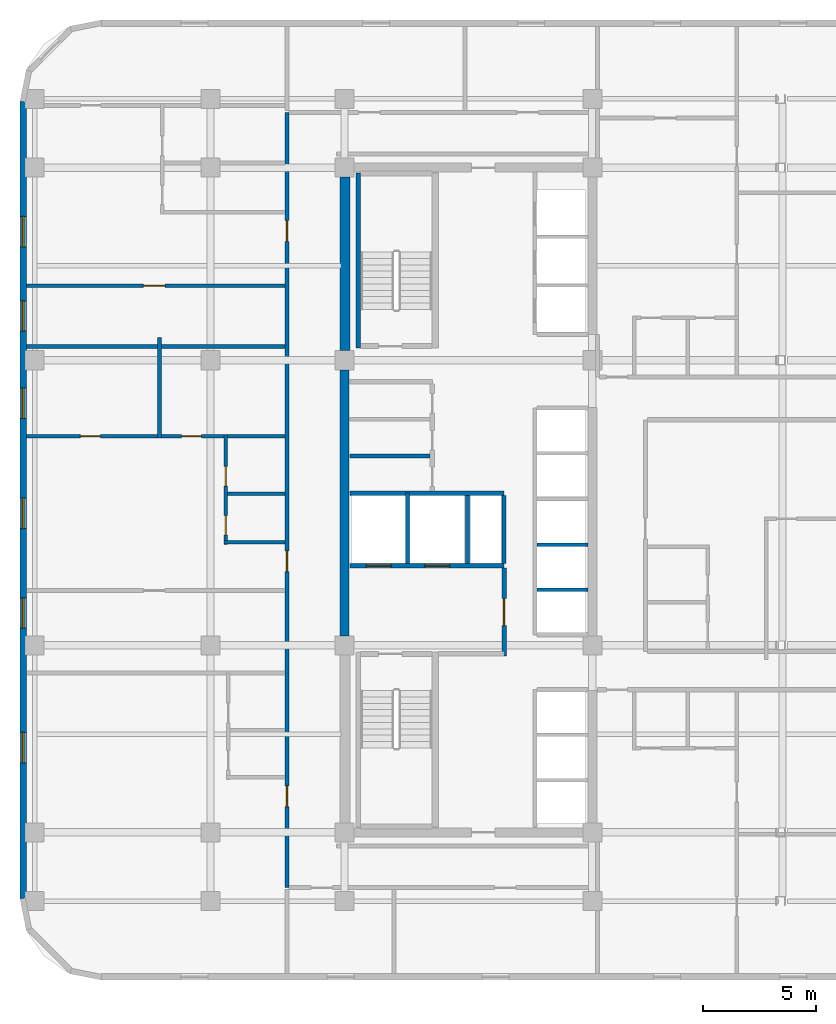
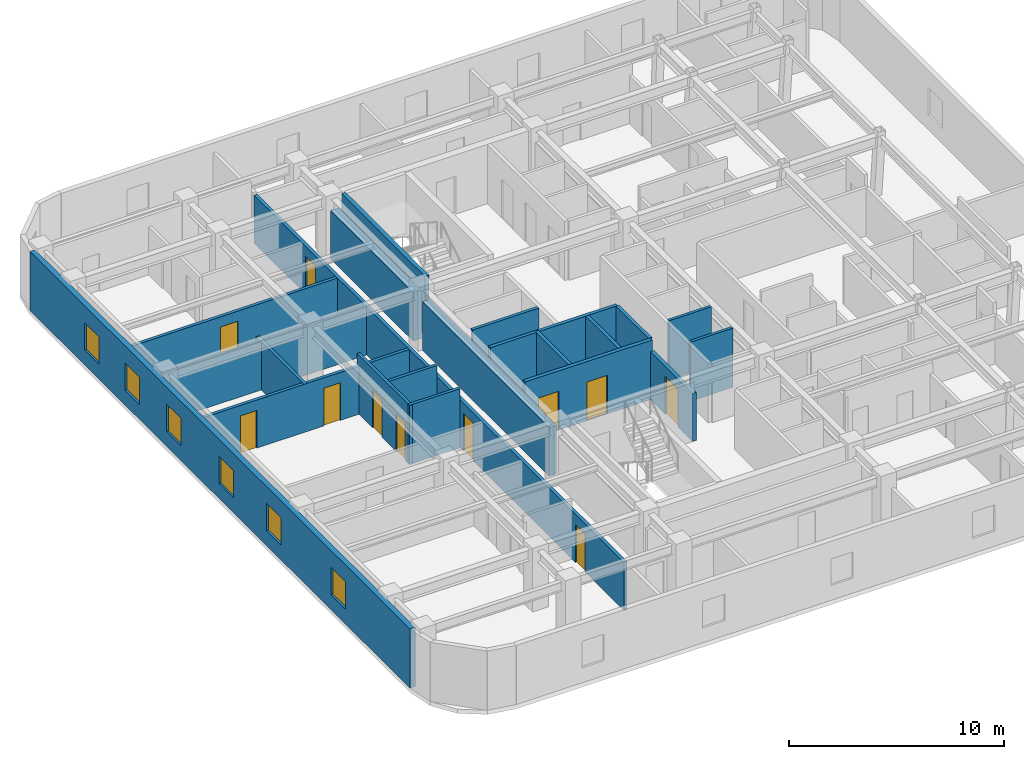
# One storey, part 4 of 8: 21 walls, 11 doors, 6 windows, 17 openings.
"""IFC4 building model written with IfcOpenShell, lengths in metres."""

import ifcopenshell
import ifcopenshell.guid

model = None  # the IFC model being written
_history = None  # IfcOwnerHistory: only IFC2X3 demands one
_inside = {}  # id of a spatial element -> (the spatial element, [elements in it])
_under = {}  # id of a project, library or spatial element -> (it, [spatial elements below it])
_declared = {}  # id of a project -> (the project, [libraries it declares])
_typed = {}  # id of a type object -> (the type object, [elements of that type])
_made_of = {}  # id of a material, layer set ... -> (it, [elements and type objects made of it])


def new_model(schema):
    """Start an empty IFC model of exactly this schema.

    Asked for "IFC4X3", IfcOpenShell would pick the latest addendum, in which some entities
    have other attributes; the version numbers below select the first issue.
    IFC2X3 requires an IfcOwnerHistory on every rooted entity: one is made here for all.
    """
    global model, _history
    if schema == "IFC4X3":
        model = ifcopenshell.file(schema_version=(4, 3, 0, 0))
    else:
        model = ifcopenshell.file(schema=schema)
    _inside.clear()
    _under.clear()
    _declared.clear()
    _typed.clear()
    _made_of.clear()
    _history = None
    if model.schema == "IFC2X3":
        org = make("IfcOrganization", Name="unknown")
        user = make(
            "IfcPersonAndOrganization",
            ThePerson=make("IfcPerson", FamilyName="unknown"),
            TheOrganization=org,
        )
        app = make(
            "IfcApplication",
            ApplicationDeveloper=org,
            Version="unknown",
            ApplicationFullName="unknown",
            ApplicationIdentifier="unknown",
        )
        _history = make(
            "IfcOwnerHistory",
            OwningUser=user,
            OwningApplication=app,
            ChangeAction="ADDED",
            CreationDate=0,
        )
    return model


def make(cls, **values):
    """One entity of the class cls with the attributes given. An attribute that is None is left unset."""
    return model.create_entity(
        cls, **{name: value for name, value in values.items() if value is not None}
    )


def rooted(cls, **values):
    """An entity with a GlobalId (a new one), such as an element, a storey or a relation."""
    return make(cls, GlobalId=ifcopenshell.guid.new(), OwnerHistory=_history, **values)


def si_unit(unit_type, name, prefix=None):
    """IfcSIUnit, for example si_unit("LENGTHUNIT", "METRE", prefix="MILLI")."""
    return make("IfcSIUnit", UnitType=unit_type, Prefix=prefix, Name=name)


def assignment(units):
    """IfcUnitAssignment: the units of a project."""
    return None if units is None else make("IfcUnitAssignment", Units=units)


def point(xyz):
    """IfcCartesianPoint."""
    return None if xyz is None else make("IfcCartesianPoint", Coordinates=xyz)


def direction(xyz):
    """IfcDirection."""
    return None if xyz is None else make("IfcDirection", DirectionRatios=xyz)


def frame(location, z_axis=None, x_axis=None):
    """IfcAxis2Placement3D, a coordinate frame: its origin and axes. An axis left out is left unset."""
    return make(
        "IfcAxis2Placement3D",
        Location=point(location),
        Axis=direction(z_axis),
        RefDirection=direction(x_axis),
    )


def frame_2d(location, x_axis=None):
    """IfcAxis2Placement2D, a coordinate frame in the plane: its origin and x axis."""
    return make(
        "IfcAxis2Placement2D", Location=point(location), RefDirection=direction(x_axis)
    )


def origin():
    """The frame at (0, 0, 0) with its axes left unset."""
    return frame((0.0, 0.0, 0.0))


def place(relative_to, where):
    """IfcLocalPlacement: puts the frame where relative to a parent placement (None: the world)."""
    return make(
        "IfcLocalPlacement", PlacementRelTo=relative_to, RelativePlacement=where
    )


def context(
    kind, dimensions, precision=None, world=None, true_north=None, identifier=None
):
    """IfcGeometricRepresentationContext, for example the 3D "Model" context."""
    return make(
        "IfcGeometricRepresentationContext",
        ContextIdentifier=identifier,
        ContextType=kind,
        CoordinateSpaceDimension=dimensions,
        Precision=precision,
        WorldCoordinateSystem=world,
        TrueNorth=true_north,
    )


def subcontext(parent, identifier, kind, view, scale=None):
    """IfcGeometricRepresentationSubContext, for example "Body" below "Model"."""
    return make(
        "IfcGeometricRepresentationSubContext",
        ContextIdentifier=identifier,
        ContextType=kind,
        ParentContext=parent,
        TargetScale=scale,
        TargetView=view,
    )


def project(units=None, contexts=None):
    """IfcProject with its units and contexts."""
    return rooted(
        "IfcProject",
        Name="project",
        RepresentationContexts=contexts,
        UnitsInContext=assignment(units),
    )


def spatial(cls, under=None, at=None, **own):
    """A site, building, storey or space (cls), placed at a placement, below another one or the project."""
    s = rooted(cls, ObjectPlacement=at, **own)
    if under is not None:
        _under.setdefault(under.id(), (under, []))[1].append(s)
    return s


def profile(cls, at=None, kind="AREA", **sizes):
    """A parametric profile (cls). Its sizes go by their IFC names, for example OverallWidth=200.0."""
    return make(cls, ProfileType=kind, Position=at, **sizes)


def rectangle(**sizes):
    """IfcRectangleProfileDef."""
    return profile("IfcRectangleProfileDef", **sizes)


def extrude(swept, where, along, depth):
    """IfcExtrudedAreaSolid: the profile swept, set in the frame where, extruded along a direction by depth."""
    return make(
        "IfcExtrudedAreaSolid",
        SweptArea=swept,
        Position=where,
        ExtrudedDirection=direction(along),
        Depth=depth,
    )


def shape(context_of_items, identifier, shape_type, items):
    """IfcShapeRepresentation: the items that make up one representation, for example the "Body"."""
    return make(
        "IfcShapeRepresentation",
        ContextOfItems=context_of_items,
        RepresentationIdentifier=identifier,
        RepresentationType=shape_type,
        Items=items,
    )


def material(Name=None, Category=None):
    """IfcMaterial."""
    return make("IfcMaterial", Name=Name, Category=Category)


def layer(
    of_material, thickness, ventilated=None, Name=None, Category=None, Priority=None
):
    """IfcMaterialLayer: one layer of a wall or slab, of a material (None: an air gap)."""
    return make(
        "IfcMaterialLayer",
        Material=of_material,
        LayerThickness=thickness,
        IsVentilated=ventilated,
        Name=Name,
        Category=Category,
        Priority=Priority,
    )


def layer_set(layers, Name=None):
    """IfcMaterialLayerSet."""
    return make("IfcMaterialLayerSet", MaterialLayers=layers, LayerSetName=Name)


def made_of(thing, what):
    """Note that an element or type object is made of a material, layer set ...; save() writes the relation."""
    if what is not None:
        _made_of.setdefault(what.id(), (what, []))[1].append(thing)
    return thing


def type_object(cls, material=None, **own):
    """A type object (cls), such as IfcWallType, which elements share."""
    return made_of(rooted(cls, **own), material)


def element(
    cls,
    number,
    at=None,
    inside=None,
    cuts=None,
    type_object=None,
    material=None,
    context=None,
    identifier="Body",
    shape_type=None,
    held_by="IfcProductDefinitionShape",
    body=None,
    shapes=None,
    **own,
):
    """One element of the class cls, such as IfcWall. Its Tag is "e" and its number.

    at: its placement. inside: the storey or other place that contains it. cuts: it is an
    opening in that element (IfcRelVoidsElement). A single representation is given by context,
    identifier, shape_type and body (its items); several are given by shapes. held_by: the class
    of the entity that holds the representations. save() writes the other relations.
    """
    e = rooted(cls, Tag="e%d" % number, ObjectPlacement=at, **own)
    if body is not None:
        shapes = [shape(context, identifier, shape_type, body)]
    if shapes is not None:
        e.Representation = make(held_by, Representations=shapes)
    if inside is not None:
        _inside.setdefault(inside.id(), (inside, []))[1].append(e)
    if cuts is not None:
        rooted(
            "IfcRelVoidsElement", RelatingBuildingElement=cuts, RelatedOpeningElement=e
        )
    if type_object is not None:
        _typed.setdefault(type_object.id(), (type_object, []))[1].append(e)
    return made_of(e, material)


def fill(opening, filler):
    """IfcRelFillsElement: the door or window that sits in an opening."""
    return rooted(
        "IfcRelFillsElement",
        RelatingOpeningElement=opening,
        RelatedBuildingElement=filler,
    )


def aggregate(whole, parts):
    """IfcRelAggregates: a whole, such as a stair, and the parts it consists of."""
    return rooted("IfcRelAggregates", RelatingObject=whole, RelatedObjects=parts)


def save(model, path):
    """Write the relations noted so far, then the file.

    IfcRelAggregates (storeys below a building ...), IfcRelContainedInSpatialStructure (elements
    in a storey), IfcRelDefinesByType, IfcRelAssociatesMaterial and IfcRelDeclares: one each for
    every whole, place, type object, material and project.
    """
    for whole, parts in _under.values():
        aggregate(whole, parts)
    for where, things in _inside.values():
        rooted(
            "IfcRelContainedInSpatialStructure",
            RelatedElements=things,
            RelatingStructure=where,
        )
    for kind, things in _typed.values():
        rooted("IfcRelDefinesByType", RelatedObjects=things, RelatingType=kind)
    for what, things in _made_of.values():
        rooted("IfcRelAssociatesMaterial", RelatedObjects=things, RelatingMaterial=what)
    for by, libraries in _declared.values():
        rooted("IfcRelDeclares", RelatingContext=by, RelatedDefinitions=libraries)
    model.write(path)


model = new_model("IFC4")

# Units and contexts
model_context = context("Model", 3, precision=1e-05, world=origin(), true_north=direction((0.0, 1.0)))
body_context = subcontext(model_context, "Body", "Model", "MODEL_VIEW")
ifc_project = project(units=[si_unit("LENGTHUNIT", "METRE"), si_unit("AREAUNIT", "SQUARE_METRE"), si_unit("VOLUMEUNIT", "CUBIC_METRE"), si_unit("PLANEANGLEUNIT", "RADIAN"), si_unit("MASSUNIT", "GRAM", prefix="KILO")], contexts=[model_context])

# Site, building, storey
site_placement = place(None, origin())
site = spatial("IfcSite", under=ifc_project, at=site_placement, CompositionType="ELEMENT")
building_placement = place(site_placement, origin())
building = spatial("IfcBuilding", under=site, at=building_placement, Name="Ochreholt Gables", CompositionType="ELEMENT")
storey_placement = place(building_placement, frame((0.0, 0.0, 102.60009765625)))
storey = spatial("IfcBuildingStorey", under=building, at=storey_placement, Name="L26", CompositionType="ELEMENT", Elevation=102.60009765625)

# Walls
ifc_material_1 = material(Name="Concrete 60 MPa", Category="concrete")
ifc_layer_1 = layer(ifc_material_1, 0.39990234375, Name="Concrete 60 MPa")
ifc_layer_set_1 = layer_set([ifc_layer_1], Name="Concrete 60 MPa")
wall_type_1 = type_object("IfcWallType", Name="WALL-CSW-400", PredefinedType="SHEAR", material=ifc_layer_set_1)
wall_1_placement = place(storey_placement, frame((24.199951171875, 17.97509765625, 0.0), z_axis=(0.0, 0.0, 1.0), x_axis=(0.0, 1.0, 0.0)))
element("IfcWall", 1, at=wall_1_placement, inside=storey, type_object=wall_type_1, Name="L26 Core West Shear Wall WM", PredefinedType="SHEAR", context=body_context, shape_type="SweptSolid", body=[
    extrude(rectangle(XDim=11.7998046875, YDim=0.39990234375, at=frame_2d((5.89990234375, 0.0))), origin(), (0.0, 0.0, 1.0), 2.7490234375),
])
ifc_layer_2 = layer(ifc_material_1, 0.449951171875, Name="Concrete 60 MPa")
ifc_layer_set_2 = layer_set([ifc_layer_2], Name="Concrete 60 MPa")
wall_type_2 = type_object("IfcWallType", Name="WALL-CSW-450", PredefinedType="SHEAR", material=ifc_layer_set_2)
wall_2_placement = place(storey_placement, frame((24.22509765625, 30.625, 0.0), z_axis=(0.0, 0.0, 1.0), x_axis=(0.0, 1.0, 0.0)))
element("IfcWall", 2, at=wall_2_placement, inside=storey, type_object=wall_type_2, Name="L26 Core West Shear Wall WN", PredefinedType="SHEAR", context=body_context, shape_type="SweptSolid", body=[
    extrude(rectangle(XDim=7.699951171875, YDim=0.449951171875, at=frame_2d((3.85009765625, 0.0))), origin(), (0.0, 0.0, 1.0), 2.7490234375),
])

# Wall, openings, windows
ifc_material_2 = material(Name="Precast concrete 40 MPa", Category="concrete")
ifc_layer_3 = layer(ifc_material_2, 0.280029296875, Name="Precast concrete 40 MPa")
ifc_layer_set_3 = layer_set([ifc_layer_3], Name="Precast concrete 40 MPa")
wall_type_3 = type_object("IfcWallType", Name="WALL-EXT-280", PredefinedType="SOLIDWALL", material=ifc_layer_set_3)
wall_3_placement = place(storey_placement, frame((9.93994140625, 41.679931640625, 0.0), z_axis=(0.0, 0.0, 1.0), x_axis=(0.0, -1.0, 0.0)))
wall_3 = element("IfcWall", 3, at=wall_3_placement, inside=storey, type_object=wall_type_3, Name="L26 West Exterior Wall", PredefinedType="SOLIDWALL", context=body_context, shape_type="SweptSolid", body=[
    extrude(rectangle(XDim=35.35986328125, YDim=0.280029296875, at=frame_2d((17.679931640625, 0.0))), origin(), (0.0, 0.0, 1.0), 3.35986328125),
])
opening_1_placement = place(wall_3_placement, frame((27.993896484375, 0.0, 0.85009765625)))
opening_1 = element("IfcOpeningElement", 4, at=opening_1_placement, cuts=wall_3, Name="Opening WN-8", PredefinedType="OPENING", context=body_context, shape_type="SweptSolid", body=[
    extrude(rectangle(XDim=1.35009765625, YDim=1.550048828125, at=frame_2d((0.675048828125, 0.77490234375))), frame((0.0, 0.14990234375, 0.0), z_axis=(0.0, -1.0, 0.0), x_axis=(1.0, 0.0, 0.0)), (0.0, 0.0, 1.0), 0.300048828125),
])
opening_2_placement = place(wall_3_placement, frame((22.017822265625, 0.0, 0.85009765625)))
opening_2 = element("IfcOpeningElement", 5, at=opening_2_placement, cuts=wall_3, Name="Opening WN-8", PredefinedType="OPENING", context=body_context, shape_type="SweptSolid", body=[
    extrude(rectangle(XDim=1.35009765625, YDim=1.550048828125, at=frame_2d((0.675048828125, 0.77490234375))), frame((0.0, 0.14990234375, 0.0), z_axis=(0.0, -1.0, 0.0), x_axis=(1.0, 0.0, 0.0)), (0.0, 0.0, 1.0), 0.300048828125),
])
opening_3_placement = place(wall_3_placement, frame((17.599853515625, 0.0, 0.85009765625)))
opening_3 = element("IfcOpeningElement", 6, at=opening_3_placement, cuts=wall_3, Name="Opening WN-8", PredefinedType="OPENING", context=body_context, shape_type="SweptSolid", body=[
    extrude(rectangle(XDim=1.35009765625, YDim=1.550048828125, at=frame_2d((0.675048828125, 0.77490234375))), frame((0.0, 0.14990234375, 0.0), z_axis=(0.0, -1.0, 0.0), x_axis=(1.0, 0.0, 0.0)), (0.0, 0.0, 1.0), 0.300048828125),
])
opening_4_placement = place(wall_3_placement, frame((12.7119140625, 0.0, 0.85009765625)))
opening_4 = element("IfcOpeningElement", 7, at=opening_4_placement, cuts=wall_3, Name="Opening WN-8", PredefinedType="OPENING", context=body_context, shape_type="SweptSolid", body=[
    extrude(rectangle(XDim=1.35009765625, YDim=1.550048828125, at=frame_2d((0.675048828125, 0.77490234375))), frame((0.0, 0.14990234375, 0.0), z_axis=(0.0, -1.0, 0.0), x_axis=(1.0, 0.0, 0.0)), (0.0, 0.0, 1.0), 0.300048828125),
])
opening_5_placement = place(wall_3_placement, frame((8.8408203125, 0.0, 0.85009765625)))
opening_5 = element("IfcOpeningElement", 8, at=opening_5_placement, cuts=wall_3, Name="Opening WN-8", PredefinedType="OPENING", context=body_context, shape_type="SweptSolid", body=[
    extrude(rectangle(XDim=1.35009765625, YDim=1.550048828125, at=frame_2d((0.675048828125, 0.77490234375))), frame((0.0, 0.14990234375, 0.0), z_axis=(0.0, -1.0, 0.0), x_axis=(1.0, 0.0, 0.0)), (0.0, 0.0, 1.0), 0.300048828125),
])
opening_6_placement = place(wall_3_placement, frame((5.09375, 0.0, 0.85009765625)))
opening_6 = element("IfcOpeningElement", 9, at=opening_6_placement, cuts=wall_3, Name="Opening WN-8", PredefinedType="OPENING", context=body_context, shape_type="SweptSolid", body=[
    extrude(rectangle(XDim=1.35009765625, YDim=1.550048828125, at=frame_2d((0.675048828125, 0.77490234375))), frame((0.0, 0.14990234375, 0.0), z_axis=(0.0, -1.0, 0.0), x_axis=(1.0, 0.0, 0.0)), (0.0, 0.0, 1.0), 0.300048828125),
])
ifc_material_3 = material(Name="Triple-Glazed Thermally Broken Aluminium Window", Category="aluminium")
window_type = type_object("IfcWindowType", Name="WIN-RES-1350", PartitioningType="SINGLE_PANEL", PredefinedType="WINDOW", material=ifc_material_3)
window_1_placement = place(opening_1_placement, origin())
window_1 = element("IfcWindow", 10, at=window_1_placement, inside=storey, type_object=window_type, Name="L26 Window W-EXT-W-L26-1", OverallHeight=1.550048828125, OverallWidth=1.35009765625, PartitioningType="SINGLE_PANEL", PredefinedType="WINDOW", context=body_context, shape_type="SweptSolid", body=[
    extrude(rectangle(XDim=1.35009765625, YDim=1.550048828125, at=frame_2d((0.675048828125, 0.77490234375))), frame((0.0, 0.030029296875, 0.0), z_axis=(0.0, -1.0, 0.0), x_axis=(1.0, 0.0, 0.0)), (0.0, 0.0, 1.0), 0.06005859375),
])
fill(opening_1, window_1)
window_2_placement = place(opening_2_placement, origin())
window_2 = element("IfcWindow", 11, at=window_2_placement, inside=storey, type_object=window_type, Name="L26 Window W-EXT-W-L26-2", OverallHeight=1.550048828125, OverallWidth=1.35009765625, PartitioningType="SINGLE_PANEL", PredefinedType="WINDOW", context=body_context, shape_type="SweptSolid", body=[
    extrude(rectangle(XDim=1.35009765625, YDim=1.550048828125, at=frame_2d((0.675048828125, 0.77490234375))), frame((0.0, 0.030029296875, 0.0), z_axis=(0.0, -1.0, 0.0), x_axis=(1.0, 0.0, 0.0)), (0.0, 0.0, 1.0), 0.06005859375),
])
fill(opening_2, window_2)
window_3_placement = place(opening_3_placement, origin())
window_3 = element("IfcWindow", 12, at=window_3_placement, inside=storey, type_object=window_type, Name="L26 Window W-EXT-W-L26-3", OverallHeight=1.550048828125, OverallWidth=1.35009765625, PartitioningType="SINGLE_PANEL", PredefinedType="WINDOW", context=body_context, shape_type="SweptSolid", body=[
    extrude(rectangle(XDim=1.35009765625, YDim=1.550048828125, at=frame_2d((0.675048828125, 0.77490234375))), frame((0.0, 0.030029296875, 0.0), z_axis=(0.0, -1.0, 0.0), x_axis=(1.0, 0.0, 0.0)), (0.0, 0.0, 1.0), 0.06005859375),
])
fill(opening_3, window_3)
window_4_placement = place(opening_4_placement, origin())
window_4 = element("IfcWindow", 13, at=window_4_placement, inside=storey, type_object=window_type, Name="L26 Window W-EXT-W-L26-4", OverallHeight=1.550048828125, OverallWidth=1.35009765625, PartitioningType="SINGLE_PANEL", PredefinedType="WINDOW", context=body_context, shape_type="SweptSolid", body=[
    extrude(rectangle(XDim=1.35009765625, YDim=1.550048828125, at=frame_2d((0.675048828125, 0.77490234375))), frame((0.0, 0.030029296875, 0.0), z_axis=(0.0, -1.0, 0.0), x_axis=(1.0, 0.0, 0.0)), (0.0, 0.0, 1.0), 0.06005859375),
])
fill(opening_4, window_4)
window_5_placement = place(opening_5_placement, origin())
window_5 = element("IfcWindow", 14, at=window_5_placement, inside=storey, type_object=window_type, Name="L26 Window W-EXT-W-L26-5", OverallHeight=1.550048828125, OverallWidth=1.35009765625, PartitioningType="SINGLE_PANEL", PredefinedType="WINDOW", context=body_context, shape_type="SweptSolid", body=[
    extrude(rectangle(XDim=1.35009765625, YDim=1.550048828125, at=frame_2d((0.675048828125, 0.77490234375))), frame((0.0, 0.030029296875, 0.0), z_axis=(0.0, -1.0, 0.0), x_axis=(1.0, 0.0, 0.0)), (0.0, 0.0, 1.0), 0.06005859375),
])
fill(opening_5, window_5)
window_6_placement = place(opening_6_placement, origin())
window_6 = element("IfcWindow", 15, at=window_6_placement, inside=storey, type_object=window_type, Name="L26 Window W-EXT-W-L26-6", OverallHeight=1.550048828125, OverallWidth=1.35009765625, PartitioningType="SINGLE_PANEL", PredefinedType="WINDOW", context=body_context, shape_type="SweptSolid", body=[
    extrude(rectangle(XDim=1.35009765625, YDim=1.550048828125, at=frame_2d((0.675048828125, 0.77490234375))), frame((0.0, 0.030029296875, 0.0), z_axis=(0.0, -1.0, 0.0), x_axis=(1.0, 0.0, 0.0)), (0.0, 0.0, 1.0), 0.06005859375),
])
fill(opening_6, window_6)

# Wall, openings, doors
ifc_material_4 = material(Name="Concrete 40 MPa", Category="concrete")
ifc_layer_4 = layer(ifc_material_4, 0.199951171875, Name="Concrete 40 MPa")
ifc_layer_set_4 = layer_set([ifc_layer_4], Name="Concrete 40 MPa")
wall_type_4 = type_object("IfcWallType", Name="WALL-INT-CF200", PredefinedType="STANDARD", material=ifc_layer_set_4)
wall_4_placement = place(storey_placement, frame((24.449951171875, 21.090087890625, 0.0), z_axis=(0.0, 0.0, 1.0), x_axis=(1.0, 0.0, 0.0)))
wall_4 = element("IfcWall", 16, at=wall_4_placement, inside=storey, type_object=wall_type_4, Name="L26 Interior Wall WI-FFN-L26", PredefinedType="STANDARD", context=body_context, shape_type="SweptSolid", body=[
    extrude(rectangle(XDim=6.830078125, YDim=0.199951171875, at=frame_2d((3.4150390625, 0.0))), origin(), (0.0, 0.0, 1.0), 3.35986328125),
])
opening_7_placement = place(wall_4_placement, frame((0.719970703125, 0.0, 0.0)))
opening_7 = element("IfcOpeningElement", 17, at=opening_7_placement, cuts=wall_4, Name="Opening LD-FF", PredefinedType="OPENING", context=body_context, shape_type="SweptSolid", body=[
    extrude(rectangle(XDim=1.10009765625, YDim=2.199951171875, at=frame_2d((0.550048828125, 1.10009765625))), frame((0.0, 0.10986328125, 0.0), z_axis=(0.0, -1.0, 0.0), x_axis=(1.0, 0.0, 0.0)), (0.0, 0.0, 1.0), 0.219970703125),
])
opening_8_placement = place(wall_4_placement, frame((3.320068359375, 0.0, 0.0)))
opening_8 = element("IfcOpeningElement", 18, at=opening_8_placement, cuts=wall_4, Name="Opening LD-FF", PredefinedType="OPENING", context=body_context, shape_type="SweptSolid", body=[
    extrude(rectangle(XDim=1.10009765625, YDim=2.199951171875, at=frame_2d((0.550048828125, 1.10009765625))), frame((0.0, 0.10986328125, 0.0), z_axis=(0.0, -1.0, 0.0), x_axis=(1.0, 0.0, 0.0)), (0.0, 0.0, 1.0), 0.219970703125),
])
ifc_material_5 = material(Name="Stainless Steel", Category="steel")
door_type_1 = type_object("IfcDoorType", Name="DR-LFT-FF1100", OperationType="NOTDEFINED", PredefinedType="DOOR", material=ifc_material_5)
door_1_placement = place(opening_7_placement, origin())
door_1 = element("IfcDoor", 19, at=door_1_placement, inside=storey, type_object=door_type_1, Name="L26 Door LD-FF1-L26", OperationType="SLIDING_TO_LEFT", OverallHeight=2.199951171875, OverallWidth=1.10009765625, PredefinedType="DOOR", context=body_context, shape_type="SweptSolid", body=[
    extrude(rectangle(XDim=1.10009765625, YDim=2.199951171875, at=frame_2d((0.550048828125, 1.10009765625))), frame((0.0, 0.02490234375, 0.0), z_axis=(0.0, -1.0, 0.0), x_axis=(1.0, 0.0, 0.0)), (0.0, 0.0, 1.0), 0.050048828125),
])
fill(opening_7, door_1)
door_2_placement = place(opening_8_placement, origin())
door_2 = element("IfcDoor", 20, at=door_2_placement, inside=storey, type_object=door_type_1, Name="L26 Door LD-FF2-L26", OperationType="SLIDING_TO_LEFT", OverallHeight=2.199951171875, OverallWidth=1.10009765625, PredefinedType="DOOR", context=body_context, shape_type="SweptSolid", body=[
    extrude(rectangle(XDim=1.10009765625, YDim=2.199951171875, at=frame_2d((0.550048828125, 1.10009765625))), frame((0.0, 0.02490234375, 0.0), z_axis=(0.0, -1.0, 0.0), x_axis=(1.0, 0.0, 0.0)), (0.0, 0.0, 1.0), 0.050048828125),
])
fill(opening_8, door_2)

# Wall, opening, door
wall_5_placement = place(storey_placement, frame((31.280029296875, 17.070068359375, 0.0), z_axis=(0.0, 0.0, 1.0), x_axis=(0.0, 1.0, 0.0)))
wall_5 = element("IfcWall", 21, at=wall_5_placement, inside=storey, type_object=wall_type_4, Name="L26 Interior Wall WI-FFE-L26", PredefinedType="STANDARD", context=body_context, shape_type="SweptSolid", body=[
    extrude(rectangle(XDim=3.919921875, YDim=0.199951171875, at=frame_2d((1.9599609375, 0.0))), origin(), (0.0, 0.0, 1.0), 2.73095703125),
])
opening_9_placement = place(wall_5_placement, frame((1.35009765625, 0.0, 0.0)))
opening_9 = element("IfcOpeningElement", 22, at=opening_9_placement, cuts=wall_5, Name="Opening D-FFL", PredefinedType="OPENING", context=body_context, shape_type="SweptSolid", body=[
    extrude(rectangle(XDim=1.199951171875, YDim=2.14990234375, at=frame_2d((0.60009765625, 1.074951171875))), frame((0.0, 0.10986328125, 0.0), z_axis=(0.0, -1.0, 0.0), x_axis=(1.0, 0.0, 0.0)), (0.0, 0.0, 1.0), 0.219970703125),
])
ifc_material_6 = material(Name="Hollow Metal Steel", Category="steel")
door_type_2 = type_object("IfcDoorType", Name="DR-INT-FFL1200", OperationType="NOTDEFINED", PredefinedType="DOOR", material=ifc_material_6)
door_3_placement = place(opening_9_placement, origin())
door_3 = element("IfcDoor", 23, at=door_3_placement, inside=storey, type_object=door_type_2, Name="L26 Door D-FFL-L26", OperationType="SINGLE_SWING_LEFT", OverallHeight=2.14990234375, OverallWidth=1.199951171875, PredefinedType="DOOR", context=body_context, shape_type="SweptSolid", body=[
    extrude(rectangle(XDim=1.199951171875, YDim=2.14990234375, at=frame_2d((0.60009765625, 1.074951171875))), frame((0.0, 0.02490234375, 0.0), z_axis=(0.0, -1.0, 0.0), x_axis=(1.0, 0.0, 0.0)), (0.0, 0.0, 1.0), 0.050048828125),
])
fill(opening_9, door_3)

# Wall, openings, doors
ifc_material_7 = material(Name="Fire-Rated Gypsum Acoustic Partition", Category="gypsum")
ifc_layer_5 = layer(ifc_material_7, 0.179931640625, Name="Fire-Rated Gypsum Acoustic Partition")
ifc_layer_set_5 = layer_set([ifc_layer_5], Name="Fire-Rated Gypsum Acoustic Partition")
wall_type_5 = type_object("IfcWallType", Name="WALL-INT-CR180", PredefinedType="STANDARD", material=ifc_layer_set_5)
wall_6_placement = place(storey_placement, frame((21.64990234375, 6.800048828125, 0.0), z_axis=(0.0, 0.0, 1.0), x_axis=(0.0, 1.0, 0.0)))
wall_6 = element("IfcWall", 24, at=wall_6_placement, inside=storey, type_object=wall_type_5, Name="L26 Interior Wall WI-C2WCW-L26", PredefinedType="STANDARD", context=body_context, shape_type="SweptSolid", body=[
    extrude(rectangle(XDim=34.39990234375, YDim=0.179931640625, at=frame_2d((17.199951171875, 0.0))), origin(), (0.0, 0.0, 1.0), 2.73095703125),
])
opening_10_placement = place(wall_6_placement, frame((3.592041015625, 0.0, 0.0)))
opening_10 = element("IfcOpeningElement", 25, at=opening_10_placement, cuts=wall_6, Name="Opening D-UN1", PredefinedType="OPENING", context=body_context, shape_type="SweptSolid", body=[
    extrude(rectangle(XDim=0.919921875, YDim=2.14990234375, at=frame_2d((0.4599609375, 1.074951171875))), frame((0.0, 0.099853515625, 0.0), z_axis=(0.0, -1.0, 0.0), x_axis=(1.0, 0.0, 0.0)), (0.0, 0.0, 1.0), 0.199951171875),
])
opening_11_placement = place(wall_6_placement, frame((14.01904296875, 0.0, 0.0)))
opening_11 = element("IfcOpeningElement", 26, at=opening_11_placement, cuts=wall_6, Name="Opening D-UN1", PredefinedType="OPENING", context=body_context, shape_type="SweptSolid", body=[
    extrude(rectangle(XDim=0.919921875, YDim=2.14990234375, at=frame_2d((0.4599609375, 1.074951171875))), frame((0.0, 0.099853515625, 0.0), z_axis=(0.0, -1.0, 0.0), x_axis=(1.0, 0.0, 0.0)), (0.0, 0.0, 1.0), 0.199951171875),
])
opening_12_placement = place(wall_6_placement, frame((28.674560546875, 0.0, 0.0)))
opening_12 = element("IfcOpeningElement", 27, at=opening_12_placement, cuts=wall_6, Name="Opening D-UN1", PredefinedType="OPENING", context=body_context, shape_type="SweptSolid", body=[
    extrude(rectangle(XDim=0.919921875, YDim=2.14990234375, at=frame_2d((0.4599609375, 1.074951171875))), frame((0.0, 0.099853515625, 0.0), z_axis=(0.0, -1.0, 0.0), x_axis=(1.0, 0.0, 0.0)), (0.0, 0.0, 1.0), 0.199951171875),
])
ifc_material_8 = material(Name="Engineered Oak Timber", Category="wood")
door_type_3 = type_object("IfcDoorType", Name="DR-INT-UNT920", OperationType="NOTDEFINED", PredefinedType="DOOR", material=ifc_material_8)
door_4_placement = place(opening_10_placement, origin())
door_4 = element("IfcDoor", 28, at=door_4_placement, inside=storey, type_object=door_type_3, Name="L26 Door D-U-L26W1-ENT", OperationType="SINGLE_SWING_LEFT", OverallHeight=2.14990234375, OverallWidth=0.919921875, PredefinedType="DOOR", context=body_context, shape_type="SweptSolid", body=[
    extrude(rectangle(XDim=0.919921875, YDim=2.14990234375, at=frame_2d((0.4599609375, 1.074951171875))), frame((0.0, 0.02490234375, 0.0), z_axis=(0.0, -1.0, 0.0), x_axis=(1.0, 0.0, 0.0)), (0.0, 0.0, 1.0), 0.050048828125),
])
fill(opening_10, door_4)
door_5_placement = place(opening_11_placement, origin())
door_5 = element("IfcDoor", 29, at=door_5_placement, inside=storey, type_object=door_type_3, Name="L26 Door D-U-L26W2-ENT", OperationType="SINGLE_SWING_RIGHT", OverallHeight=2.14990234375, OverallWidth=0.919921875, PredefinedType="DOOR", context=body_context, shape_type="SweptSolid", body=[
    extrude(rectangle(XDim=0.919921875, YDim=2.14990234375, at=frame_2d((0.4599609375, 1.074951171875))), frame((0.0, 0.02490234375, 0.0), z_axis=(0.0, -1.0, 0.0), x_axis=(1.0, 0.0, 0.0)), (0.0, 0.0, 1.0), 0.050048828125),
])
fill(opening_11, door_5)
door_6_placement = place(opening_12_placement, origin())
door_6 = element("IfcDoor", 30, at=door_6_placement, inside=storey, type_object=door_type_3, Name="L26 Door D-U-L26W3-ENT", OperationType="SINGLE_SWING_LEFT", OverallHeight=2.14990234375, OverallWidth=0.919921875, PredefinedType="DOOR", context=body_context, shape_type="SweptSolid", body=[
    extrude(rectangle(XDim=0.919921875, YDim=2.14990234375, at=frame_2d((0.4599609375, 1.074951171875))), frame((0.0, 0.02490234375, 0.0), z_axis=(0.0, -1.0, 0.0), x_axis=(1.0, 0.0, 0.0)), (0.0, 0.0, 1.0), 0.050048828125),
])
fill(opening_12, door_6)

# Walls
ifc_material_9 = material(Name="Double-Stud Acoustic Demising Wall", Category="gypsum")
ifc_layer_6 = layer(ifc_material_9, 0.179931640625, Name="Double-Stud Acoustic Demising Wall")
ifc_layer_set_6 = layer_set([ifc_layer_6], Name="Double-Stud Acoustic Demising Wall")
wall_type_6 = type_object("IfcWallType", Name="WALL-INT-DM180", PredefinedType="PARTITIONING", material=ifc_layer_set_6)
wall_7_placement = place(storey_placement, frame((10.080078125, 30.81591796875, 0.0), z_axis=(0.0, 0.0, 1.0), x_axis=(1.0, 0.0, 0.0)))
element("IfcWall", 31, at=wall_7_placement, inside=storey, type_object=wall_type_6, Name="L26 Interior Wall WI-C2UDW3-L26", PredefinedType="PARTITIONING", context=body_context, shape_type="SweptSolid", body=[
    extrude(rectangle(XDim=11.47998046875, YDim=0.179931640625, at=frame_2d((5.739990234375, 0.0))), origin(), (0.0, 0.0, 1.0), 2.73095703125),
])
ifc_material_10 = material(Name="Moisture-Resistant Plumbing Chase Wall", Category="gypsum")
ifc_layer_7 = layer(ifc_material_10, 0.159912109375, Name="Moisture-Resistant Plumbing Chase Wall")
ifc_layer_set_7 = layer_set([ifc_layer_7], Name="Moisture-Resistant Plumbing Chase Wall")
wall_type_7 = type_object("IfcWallType", Name="WALL-INT-PL160", PredefinedType="PLUMBINGWALL", material=ifc_layer_set_7)
wall_8_placement = place(storey_placement, frame((18.847900390625, 22.118896484375, 0.0), z_axis=(0.0, 0.0, 1.0), x_axis=(1.0, 0.0, 0.0)))
element("IfcWall", 32, at=wall_8_placement, inside=storey, type_object=wall_type_7, Name="L26 Interior Wall WU-L26W2-FYS", PredefinedType="PLUMBINGWALL", context=body_context, shape_type="SweptSolid", body=[
    extrude(rectangle(XDim=2.712158203125, YDim=0.159912109375, at=frame_2d((1.35595703125, 0.0))), origin(), (0.0, 0.0, 1.0), 3.35986328125),
])

# Wall, openings, doors
wall_9_placement = place(storey_placement, frame((18.927978515625, 22.029052734375, 0.0), z_axis=(0.0, 0.0, 1.0), x_axis=(0.0, 1.0, 0.0)))
wall_9 = element("IfcWall", 33, at=wall_9_placement, inside=storey, type_object=wall_type_7, Name="L26 Interior Wall WU-L26W2-WX", PredefinedType="PLUMBINGWALL", context=body_context, shape_type="SweptSolid", body=[
    extrude(rectangle(XDim=4.886962890625, YDim=0.159912109375, at=frame_2d((2.443359375, 0.0))), origin(), (0.0, 0.0, 1.0), 3.35986328125),
])
opening_13_placement = place(wall_9_placement, frame((0.419921875, 0.0, 0.0)))
opening_13 = element("IfcOpeningElement", 34, at=opening_13_placement, cuts=wall_9, Name="Opening D-BT1", PredefinedType="OPENING", context=body_context, shape_type="SweptSolid", body=[
    extrude(rectangle(XDim=0.860107421875, YDim=2.1201171875, at=frame_2d((0.43017578125, 1.06005859375))), frame((0.0, 0.08984375, 0.0), z_axis=(0.0, -1.0, 0.0), x_axis=(1.0, 0.0, 0.0)), (0.0, 0.0, 1.0), 0.179931640625),
])
opening_14_placement = place(wall_9_placement, frame((2.585205078125, 0.0, 0.0)))
opening_14 = element("IfcOpeningElement", 35, at=opening_14_placement, cuts=wall_9, Name="Opening D-GN2", PredefinedType="OPENING", context=body_context, shape_type="SweptSolid", body=[
    extrude(rectangle(XDim=0.8798828125, YDim=2.1201171875, at=frame_2d((0.43994140625, 1.06005859375))), frame((0.0, 0.08984375, 0.0), z_axis=(0.0, -1.0, 0.0), x_axis=(1.0, 0.0, 0.0)), (0.0, 0.0, 1.0), 0.179931640625),
])
door_type_4 = type_object("IfcDoorType", Name="DR-INT-BTH860", OperationType="NOTDEFINED", PredefinedType="DOOR", material=ifc_material_8)
door_7_placement = place(opening_13_placement, origin())
door_7 = element("IfcDoor", 36, at=door_7_placement, inside=storey, type_object=door_type_4, Name="L26 Door D-U-L26W2-BTH", OperationType="SINGLE_SWING_LEFT", OverallHeight=2.1201171875, OverallWidth=0.860107421875, PredefinedType="DOOR", context=body_context, shape_type="SweptSolid", body=[
    extrude(rectangle(XDim=0.860107421875, YDim=2.1201171875, at=frame_2d((0.43017578125, 1.06005859375))), frame((0.0, 0.02490234375, 0.0), z_axis=(0.0, -1.0, 0.0), x_axis=(1.0, 0.0, 0.0)), (0.0, 0.0, 1.0), 0.050048828125),
])
fill(opening_13, door_7)
door_type_5 = type_object("IfcDoorType", Name="DR-INT-GEN880", OperationType="NOTDEFINED", PredefinedType="DOOR", material=ifc_material_8)
door_8_placement = place(opening_14_placement, origin())
door_8 = element("IfcDoor", 37, at=door_8_placement, inside=storey, type_object=door_type_5, Name="L26 Door D-U-L26W2-KIT", OperationType="SINGLE_SWING_RIGHT", OverallHeight=2.1201171875, OverallWidth=0.8798828125, PredefinedType="DOOR", context=body_context, shape_type="SweptSolid", body=[
    extrude(rectangle(XDim=0.8798828125, YDim=2.1201171875, at=frame_2d((0.43994140625, 1.06005859375))), frame((0.0, 0.02490234375, 0.0), z_axis=(0.0, -1.0, 0.0), x_axis=(1.0, 0.0, 0.0)), (0.0, 0.0, 1.0), 0.050048828125),
])
fill(opening_14, door_8)

# Walls
wall_10_placement = place(storey_placement, frame((19.008056640625, 24.2841796875, 0.0), z_axis=(0.0, 0.0, 1.0), x_axis=(1.0, 0.0, 0.0)))
element("IfcWall", 38, at=wall_10_placement, inside=storey, type_object=wall_type_7, Name="L26 Interior Wall WU-L26W2-WK", PredefinedType="PLUMBINGWALL", context=body_context, shape_type="SweptSolid", body=[
    extrude(rectangle(XDim=2.552001953125, YDim=0.159912109375, at=frame_2d((1.27587890625, 0.0))), origin(), (0.0, 0.0, 1.0), 3.35986328125),
])
ifc_material_11 = material(Name="Gypsum Acoustic Stud Partition", Category="gypsum")
ifc_layer_8 = layer(ifc_material_11, 0.1650390625, Name="Gypsum Acoustic Stud Partition")
ifc_layer_set_8 = layer_set([ifc_layer_8], Name="Gypsum Acoustic Stud Partition")
wall_type_8 = type_object("IfcWallType", Name="WALL-INT-PT165", PredefinedType="PARTITIONING", material=ifc_layer_set_8)
wall_11_placement = place(storey_placement, frame((24.449951171875, 25.949951171875, 0.0), z_axis=(0.0, 0.0, 1.0), x_axis=(1.0, 0.0, 0.0)))
element("IfcWall", 39, at=wall_11_placement, inside=storey, type_object=wall_type_8, Name="L26 Interior Wall WI-SRVP1-L26", PredefinedType="PARTITIONING", context=body_context, shape_type="SweptSolid", body=[
    extrude(rectangle(XDim=3.550048828125, YDim=0.1650390625, at=frame_2d((1.77490234375, 0.0))), origin(), (0.0, 0.0, 1.0), 3.35986328125),
])

# Wall, openings, doors
wall_12_placement = place(storey_placement, frame((10.080078125, 26.825927734375, 0.0), z_axis=(0.0, 0.0, 1.0), x_axis=(1.0, 0.0, 0.0)))
wall_12 = element("IfcWall", 40, at=wall_12_placement, inside=storey, type_object=wall_type_8, Name="L26 Interior Wall WU-L26W2-MN", PredefinedType="PARTITIONING", context=body_context, shape_type="SweptSolid", body=[
    extrude(rectangle(XDim=11.47998046875, YDim=0.1650390625, at=frame_2d((5.739990234375, 0.0))), origin(), (0.0, 0.0, 1.0), 2.73095703125),
])
opening_15_placement = place(wall_12_placement, frame((2.403564453125, 0.0, 0.0)))
opening_15 = element("IfcOpeningElement", 41, at=opening_15_placement, cuts=wall_12, Name="Opening D-BD2", PredefinedType="OPENING", context=body_context, shape_type="SweptSolid", body=[
    extrude(rectangle(XDim=0.8798828125, YDim=2.139892578125, at=frame_2d((0.43994140625, 1.06982421875))), frame((0.0, 0.092529296875, 0.0), z_axis=(0.0, -1.0, 0.0), x_axis=(1.0, 0.0, 0.0)), (0.0, 0.0, 1.0), 0.18505859375),
])
opening_16_placement = place(wall_12_placement, frame((6.892578125, 0.0, 0.0)))
opening_16 = element("IfcOpeningElement", 42, at=opening_16_placement, cuts=wall_12, Name="Opening D-BD2", PredefinedType="OPENING", context=body_context, shape_type="SweptSolid", body=[
    extrude(rectangle(XDim=0.8798828125, YDim=2.139892578125, at=frame_2d((0.43994140625, 1.06982421875))), frame((0.0, 0.092529296875, 0.0), z_axis=(0.0, -1.0, 0.0), x_axis=(1.0, 0.0, 0.0)), (0.0, 0.0, 1.0), 0.18505859375),
])
door_type_6 = type_object("IfcDoorType", Name="DR-INT-BED880", OperationType="NOTDEFINED", PredefinedType="DOOR", material=ifc_material_8)
door_9_placement = place(opening_15_placement, origin())
door_9 = element("IfcDoor", 43, at=door_9_placement, inside=storey, type_object=door_type_6, Name="L26 Door D-U-L26W2-BD1", OperationType="SINGLE_SWING_RIGHT", OverallHeight=2.139892578125, OverallWidth=0.8798828125, PredefinedType="DOOR", context=body_context, shape_type="SweptSolid", body=[
    extrude(rectangle(XDim=0.8798828125, YDim=2.139892578125, at=frame_2d((0.43994140625, 1.06982421875))), frame((0.0, 0.02490234375, 0.0), z_axis=(0.0, -1.0, 0.0), x_axis=(1.0, 0.0, 0.0)), (0.0, 0.0, 1.0), 0.050048828125),
])
fill(opening_15, door_9)
door_10_placement = place(opening_16_placement, origin())
door_10 = element("IfcDoor", 44, at=door_10_placement, inside=storey, type_object=door_type_6, Name="L26 Door D-U-L26W2-BD2", OperationType="SINGLE_SWING_LEFT", OverallHeight=2.139892578125, OverallWidth=0.8798828125, PredefinedType="DOOR", context=body_context, shape_type="SweptSolid", body=[
    extrude(rectangle(XDim=0.8798828125, YDim=2.139892578125, at=frame_2d((0.43994140625, 1.06982421875))), frame((0.0, 0.02490234375, 0.0), z_axis=(0.0, -1.0, 0.0), x_axis=(1.0, 0.0, 0.0)), (0.0, 0.0, 1.0), 0.050048828125),
])
fill(opening_16, door_10)

# Wall
wall_13_placement = place(storey_placement, frame((15.9873046875, 26.74609375, 0.0), z_axis=(0.0, 0.0, 1.0), x_axis=(0.0, 1.0, 0.0)))
element("IfcWall", 45, at=wall_13_placement, inside=storey, type_object=wall_type_8, Name="L26 Interior Wall WU-L26W2-BSD", PredefinedType="PARTITIONING", context=body_context, shape_type="SweptSolid", body=[
    extrude(rectangle(XDim=4.4599609375, YDim=0.1650390625, at=frame_2d((2.22998046875, 0.0))), origin(), (0.0, 0.0, 1.0), 2.73095703125),
])

# Wall, opening, door
wall_14_placement = place(storey_placement, frame((10.080078125, 33.51220703125, 0.0), z_axis=(0.0, 0.0, 1.0), x_axis=(1.0, 0.0, 0.0)))
wall_14 = element("IfcWall", 46, at=wall_14_placement, inside=storey, type_object=wall_type_8, Name="L26 Interior Wall WU-L26W3-DNW", PredefinedType="PARTITIONING", context=body_context, shape_type="SweptSolid", body=[
    extrude(rectangle(XDim=11.47998046875, YDim=0.1650390625, at=frame_2d((5.739990234375, 0.0))), origin(), (0.0, 0.0, 1.0), 2.73095703125),
])
opening_17_placement = place(wall_14_placement, frame((5.195068359375, 0.0, 0.0)))
opening_17 = element("IfcOpeningElement", 47, at=opening_17_placement, cuts=wall_14, Name="Opening D-GN1", PredefinedType="OPENING", context=body_context, shape_type="SweptSolid", body=[
    extrude(rectangle(XDim=0.949951171875, YDim=2.14990234375, at=frame_2d((0.47509765625, 1.074951171875))), frame((0.0, 0.092529296875, 0.0), z_axis=(0.0, -1.0, 0.0), x_axis=(1.0, 0.0, 0.0)), (0.0, 0.0, 1.0), 0.18505859375),
])
door_type_7 = type_object("IfcDoorType", Name="DR-INT-GEN950", OperationType="NOTDEFINED", PredefinedType="DOOR", material=ifc_material_8)
door_11_placement = place(opening_17_placement, origin())
door_11 = element("IfcDoor", 48, at=door_11_placement, inside=storey, type_object=door_type_7, Name="L26 Door D-U-L26W3-DIN", OperationType="SINGLE_SWING_RIGHT", OverallHeight=2.14990234375, OverallWidth=0.949951171875, PredefinedType="DOOR", context=body_context, shape_type="SweptSolid", body=[
    extrude(rectangle(XDim=0.949951171875, YDim=2.14990234375, at=frame_2d((0.47509765625, 1.074951171875))), frame((0.0, 0.02490234375, 0.0), z_axis=(0.0, -1.0, 0.0), x_axis=(1.0, 0.0, 0.0)), (0.0, 0.0, 1.0), 0.050048828125),
])
fill(opening_17, door_11)

# Walls
ifc_material_12 = material(Name="Gypsum Shaftliner and Steel Stud", Category="steel")
ifc_layer_9 = layer(ifc_material_12, 0.14990234375, Name="Gypsum Shaftliner and Steel Stud")
ifc_layer_set_9 = layer_set([ifc_layer_9], Name="Gypsum Shaftliner and Steel Stud")
wall_type_9 = type_object("IfcWallType", Name="WALL-INT-SH150", PredefinedType="STANDARD", material=ifc_layer_set_9)
for number, where, z_axis, x_axis, name in (
    (49, (32.739990234375, 20.02001953125, 0.0), (0.0, 0.0, 1.0), (1.0, 0.0, 0.0), "L26 Interior Wall WI-LFHE-DH1-L26"),
    (50, (32.739990234375, 22.02001953125, 0.0), (0.0, 0.0, 1.0), (1.0, 0.0, 0.0), "L26 Interior Wall WI-LFHE-DH2-L26"),
):
    element("IfcWall", number, at=place(storey_placement, frame(where, z_axis=z_axis, x_axis=x_axis)), inside=storey, type_object=wall_type_9, Name=name, PredefinedType="STANDARD", context=body_context, shape_type="SweptSolid", body=[
        extrude(rectangle(XDim=2.260009765625, YDim=0.14990234375, at=frame_2d((1.1298828125, 0.0))), origin(), (0.0, 0.0, 1.0), 3.35986328125),
    ])
ifc_layer_10 = layer(ifc_material_12, 0.179931640625, Name="Gypsum Shaftliner and Steel Stud")
ifc_layer_set_10 = layer_set([ifc_layer_10], Name="Gypsum Shaftliner and Steel Stud")
wall_type_10 = type_object("IfcWallType", Name="WALL-INT-SH180", PredefinedType="STANDARD", material=ifc_layer_set_10)
wall_15_placement = place(storey_placement, frame((27.0, 21.18994140625, 0.0), z_axis=(0.0, 0.0, 1.0), x_axis=(0.0, 1.0, 0.0)))
element("IfcWall", 51, at=wall_15_placement, inside=storey, type_object=wall_type_10, Name="L26 Interior Wall WI-FFDIV-L26", PredefinedType="STANDARD", context=body_context, shape_type="SweptSolid", body=[
    extrude(rectangle(XDim=3.110107421875, YDim=0.179931640625, at=frame_2d((1.55517578125, 0.0))), origin(), (0.0, 0.0, 1.0), 3.35986328125),
])
wall_16_placement = place(storey_placement, frame((24.449951171875, 24.300048828125, 0.0), z_axis=(0.0, 0.0, 1.0), x_axis=(1.0, 0.0, 0.0)))
element("IfcWall", 52, at=wall_16_placement, inside=storey, type_object=wall_type_10, Name="L26 Interior Wall WI-FFBK-L26", PredefinedType="STANDARD", context=body_context, shape_type="SweptSolid", body=[
    extrude(rectangle(XDim=6.830078125, YDim=0.179931640625, at=frame_2d((3.4150390625, 0.0))), origin(), (0.0, 0.0, 1.0), 3.35986328125),
])
for number, where, z_axis, x_axis, name in (
    (53, (29.64990234375, 21.18994140625, 0.0), (0.0, 0.0, 1.0), (0.0, 1.0, 0.0), "L26 Interior Wall WI-FFSH-L26"),
    (54, (31.280029296875, 21.18994140625, 0.0), (0.0, 0.0, 1.0), (0.0, 1.0, 0.0), "L26 Interior Wall WI-RSE-L26"),
):
    element("IfcWall", number, at=place(storey_placement, frame(where, z_axis=z_axis, x_axis=x_axis)), inside=storey, type_object=wall_type_10, Name=name, PredefinedType="STANDARD", context=body_context, shape_type="SweptSolid", body=[
        extrude(rectangle(XDim=3.02001953125, YDim=0.179931640625, at=frame_2d((1.510009765625, 0.0))), origin(), (0.0, 0.0, 1.0), 3.35986328125),
    ])
ifc_material_13 = material(Name="Concrete 50 MPa", Category="concrete")
ifc_layer_11 = layer(ifc_material_13, 0.219970703125, Name="Concrete 50 MPa")
ifc_layer_set_11 = layer_set([ifc_layer_11], Name="Concrete 50 MPa")
wall_type_11 = type_object("IfcWallType", Name="WALL-STW-220", PredefinedType="SHEAR", material=ifc_layer_set_11)
wall_17_placement = place(storey_placement, frame((24.81005859375, 30.739990234375, 0.0), z_axis=(0.0, 0.0, 1.0), x_axis=(0.0, 1.0, 0.0)))
element("IfcWall", 55, at=wall_17_placement, inside=storey, type_object=wall_type_11, Name="L26 Exit Stair 2 West Wall", PredefinedType="SHEAR", context=body_context, shape_type="SweptSolid", body=[
    extrude(rectangle(XDim=7.760009765625, YDim=0.219970703125, at=frame_2d((3.8798828125, 0.0))), origin(), (0.0, 0.0, 1.0), 3.35986328125),
])

save(model, "model.ifc")
